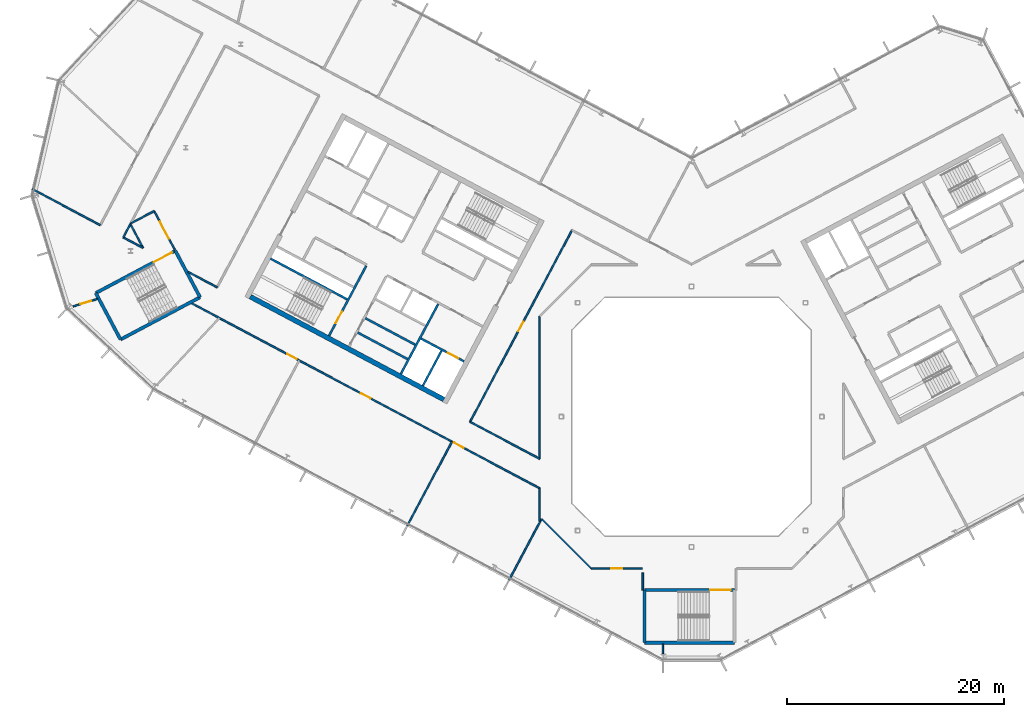
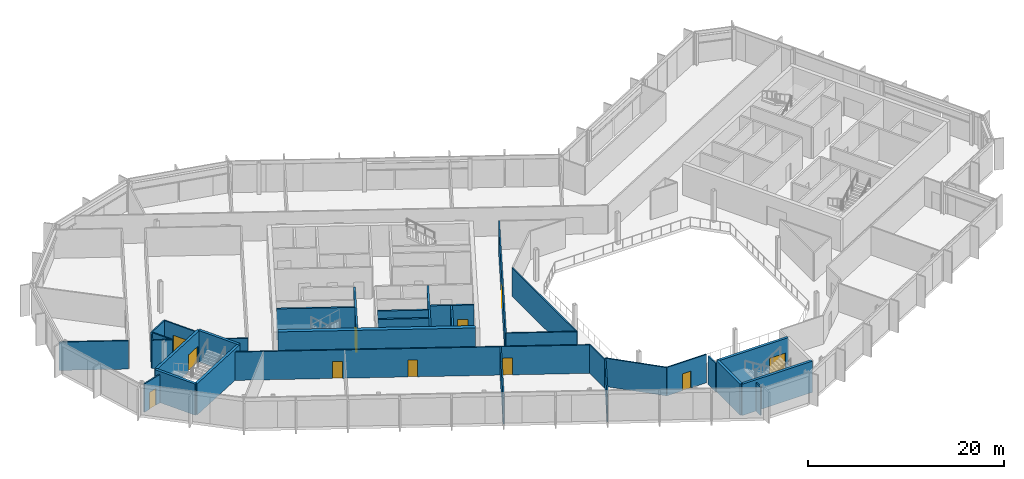
# One storey, part 12 of 25: 34 walls, 11 doors, 11 openings.
"""IFC4 building model written with IfcOpenShell, lengths in metres."""

from ifc_helpers import new_model, si_unit, direction, frame, frame_2d, origin, place, context, subcontext, project, spatial, rectangle, extrude, material, layer, layer_set, type_object, element, fill, save


model = new_model("IFC4")

# Units and contexts
model_context = context("Model", 3, precision=1e-05, world=origin(), true_north=direction((0.0, 1.0)))
body_context = subcontext(model_context, "Body", "Model", "MODEL_VIEW")
ifc_project = project(units=[si_unit("LENGTHUNIT", "METRE"), si_unit("AREAUNIT", "SQUARE_METRE"), si_unit("VOLUMEUNIT", "CUBIC_METRE"), si_unit("PLANEANGLEUNIT", "RADIAN"), si_unit("MASSUNIT", "GRAM", prefix="KILO")], contexts=[model_context])

# Site, building, storey
site_placement = place(None, origin())
site = spatial("IfcSite", under=ifc_project, at=site_placement, CompositionType="ELEMENT")
building_placement = place(site_placement, origin())
building = spatial("IfcBuilding", under=site, at=building_placement, Name="Cormorant Relay Tower", CompositionType="ELEMENT")
storey_placement = place(building_placement, frame((0.0, 0.0, 265.800048828125)))
storey = spatial("IfcBuildingStorey", under=building, at=storey_placement, Name="L59", CompositionType="ELEMENT", Elevation=265.800048828125)

# Walls
ifc_material_1 = material(Name="Concrete 40 MPa", Category="concrete")
ifc_layer_1 = layer(ifc_material_1, 0.199951171875)
ifc_layer_set_1 = layer_set([ifc_layer_1], Name="Core internal wall 200")
wall_type_1 = type_object("IfcWallType", Name="Core internal wall 200", PredefinedType="SOLIDWALL", material=ifc_layer_set_1)
for number, where, z_axis, x_axis, name in (
    (1, (-25.46728515625, 6.632568359375, 0.0), (0.0, 0.0, 1.0), (-0.882953967957, 0.469459572775, 0.0), "L59 core A shaft and room wall"),
    (2, (-26.17138671875, 5.30810546875, 0.0), (0.0, 0.0, 1.0), (-0.882953967957, 0.469459572775, 0.0), "L59 core A shaft and room wall"),
):
    element("IfcWall", number, at=place(storey_placement, frame(where, z_axis=z_axis, x_axis=x_axis)), inside=storey, type_object=wall_type_1, Name=name, PredefinedType="SOLIDWALL", context=body_context, shape_type="SweptSolid", body=[
        extrude(rectangle(XDim=5.199951171875, YDim=0.199951171875, at=frame_2d((2.60009765625, 0.0))), origin(), (0.0, 0.0, 1.0), 3.89990234375),
    ])
ifc_material_2 = material(Name="Concrete 50 MPa", Category="concrete")
ifc_layer_2 = layer(ifc_material_2, 0.199951171875)
ifc_layer_set_2 = layer_set([ifc_layer_2], Name="Core shaft wall 200")
wall_type_2 = type_object("IfcWallType", Name="Core shaft wall 200", PredefinedType="SHEAR", material=ifc_layer_set_2)
wall_1_placement = place(storey_placement, frame((-23.04296875, 6.07958984375, 0.0), z_axis=(0.0, 0.0, 1.0), x_axis=(-0.469494272526, -0.882935517501, 0.0)))
element("IfcWall", 3, at=wall_1_placement, inside=storey, type_object=wall_type_2, Name="L59 core A shaft wall", PredefinedType="SHEAR", context=body_context, shape_type="SweptSolid", body=[
    extrude(rectangle(XDim=3.64990234375, YDim=0.199951171875, at=frame_2d((1.824951171875, 0.0))), origin(), (0.0, 0.0, 1.0), 3.89990234375),
])
wall_2_placement = place(storey_placement, frame((-23.360107421875, 10.38232421875, 0.0), z_axis=(0.0, 0.0, 1.0), x_axis=(-0.469480409012, -0.88294288918, 0.0)))
element("IfcWall", 4, at=wall_2_placement, inside=storey, type_object=wall_type_2, Name="L59 core A shaft wall", PredefinedType="SHEAR", context=body_context, shape_type="SweptSolid", body=[
    extrude(rectangle(XDim=7.300048828125, YDim=0.199951171875, at=frame_2d((3.64990234375, 0.0))), origin(), (0.0, 0.0, 1.0), 3.89990234375),
])

# Wall, opening, door
wall_3_placement = place(storey_placement, frame((-29.982421875, 13.9033203125, 0.0), z_axis=(0.0, 0.0, 1.0), x_axis=(-0.469454336211, -0.882956752176, 0.0)))
wall_3 = element("IfcWall", 5, at=wall_3_placement, inside=storey, type_object=wall_type_2, Name="L59 core A shaft wall", PredefinedType="SHEAR", context=body_context, shape_type="SweptSolid", body=[
    extrude(rectangle(XDim=7.300048828125, YDim=0.199951171875, at=frame_2d((3.64990234375, 0.0))), origin(), (0.0, 0.0, 1.0), 3.89990234375),
])
opening_1_placement = place(wall_3_placement, frame((4.800048828125, 0.0, 0.0)))
opening_1 = element("IfcOpeningElement", 6, at=opening_1_placement, cuts=wall_3, Name="Opening CDB-039", PredefinedType="OPENING", context=body_context, shape_type="SweptSolid", body=[
    extrude(rectangle(XDim=1.199951171875, YDim=2.10009765625, at=frame_2d((0.60009765625, 1.050048828125))), frame((0.0, 0.10986328125, 0.0), z_axis=(0.0, -1.0, 0.0), x_axis=(1.0, 0.0, 0.0)), (0.0, 0.0, 1.0), 0.219970703125),
])
ifc_material_3 = material(Name="Steel fire door", Category="steel")
door_type_1 = type_object("IfcDoorType", Name="Core stair door 1200x2100", OperationType="SINGLE_SWING_LEFT", PredefinedType="DOOR", material=ifc_material_3)
door_1_placement = place(opening_1_placement, frame((1.199951171875, 0.0, 0.0), z_axis=(0.0, 0.0, 1.0), x_axis=(-1.0, 0.0, 0.0)))
door_1 = element("IfcDoor", 7, at=door_1_placement, inside=storey, type_object=door_type_1, Name="Core stair door 1200x2100", OperationType="SINGLE_SWING_RIGHT", OverallHeight=2.10009765625, OverallWidth=1.199951171875, PredefinedType="DOOR", context=body_context, shape_type="SweptSolid", body=[
    extrude(rectangle(XDim=1.199951171875, YDim=2.10009765625, at=frame_2d((0.60009765625, 1.050048828125))), frame((0.0, 0.02490234375, 0.0), z_axis=(0.0, -1.0, 0.0), x_axis=(1.0, 0.0, 0.0)), (0.0, 0.0, 1.0), 0.050048828125),
])
fill(opening_1, door_1)

wall_4_placement = place(storey_placement, frame((-20.96533203125, 5.088134765625, 0.0), z_axis=(0.0, 0.0, 1.0), x_axis=(-0.882925986334, 0.469512196493, 0.0)))
wall_4 = element("IfcWall", 8, at=wall_4_placement, inside=storey, type_object=wall_type_2, Name="L59 core A shaft wall", PredefinedType="SHEAR", context=body_context, shape_type="SweptSolid", body=[
    extrude(rectangle(XDim=4.5, YDim=0.199951171875, at=frame_2d((2.25, 0.0))), origin(), (0.0, 0.0, 1.0), 3.89990234375),
])
opening_2_placement = place(wall_4_placement, frame((0.60009765625, 0.0, 0.0)))
opening_2 = element("IfcOpeningElement", 9, at=opening_2_placement, cuts=wall_4, Name="Opening LD1-063", PredefinedType="OPENING", context=body_context, shape_type="SweptSolid", body=[
    extrude(rectangle(XDim=1.10009765625, YDim=2.10009765625, at=frame_2d((0.550048828125, 1.050048828125))), frame((0.0, 0.10986328125, 0.0), z_axis=(0.0, -1.0, 0.0), x_axis=(1.0, 0.0, 0.0)), (0.0, 0.0, 1.0), 0.219970703125),
])
ifc_material_4 = material(Name="Stainless steel 316", Category="steel")
door_type_2 = type_object("IfcDoorType", Name="Lift landing door 1100x2100", OperationType="DOUBLE_DOOR_SLIDING", PredefinedType="DOOR", material=ifc_material_4)
door_2_placement = place(opening_2_placement, origin())
door_2 = element("IfcDoor", 10, at=door_2_placement, inside=storey, type_object=door_type_2, Name="FF1 landing door", OperationType="DOUBLE_DOOR_SLIDING", OverallHeight=2.10009765625, OverallWidth=1.10009765625, PredefinedType="DOOR", context=body_context, shape_type="SweptSolid", body=[
    extrude(rectangle(XDim=1.10009765625, YDim=2.10009765625, at=frame_2d((0.550048828125, 1.050048828125))), frame((0.0, 0.02490234375, 0.0), z_axis=(0.0, -1.0, 0.0), x_axis=(1.0, 0.0, 0.0)), (0.0, 0.0, 1.0), 0.050048828125),
])
fill(opening_2, door_2)

# Walls
wall_5_placement = place(storey_placement, frame((-31.7373046875, 10.815673828125, 0.0), z_axis=(0.0, 0.0, 1.0), x_axis=(-0.882940221191, 0.469485426614, 0.0)))
element("IfcWall", 11, at=wall_5_placement, inside=storey, type_object=wall_type_2, Name="L59 core A shaft wall", PredefinedType="SHEAR", context=body_context, shape_type="SweptSolid", body=[
    extrude(rectangle(XDim=8.0, YDim=0.199951171875, at=frame_2d((4.0, 0.0))), origin(), (0.0, 0.0, 1.0), 3.89990234375),
])
ifc_material_5 = material(Name="Concrete 50 MPa", Category="concrete")
ifc_layer_3 = layer(ifc_material_5, 0.449951171875)
ifc_layer_set_3 = layer_set([ifc_layer_3], Name="Core wall 450")
wall_type_3 = type_object("IfcWallType", Name="Core wall 450", PredefinedType="SHEAR", material=ifc_layer_set_3)
wall_6_placement = place(storey_placement, frame((-22.83154296875, 1.578369140625, 0.0), z_axis=(0.0, 0.0, 1.0), x_axis=(-0.88294509198, 0.469476266226, 0.0)))
element("IfcWall", 12, at=wall_6_placement, inside=storey, type_object=wall_type_3, Name="L59 core A wall", PredefinedType="SHEAR", context=body_context, shape_type="SweptSolid", body=[
    extrude(rectangle(XDim=20.199951171875, YDim=0.449951171875, at=frame_2d((10.10009765625, 0.0))), origin(), (0.0, 0.0, 1.0), 3.89990234375),
])
ifc_material_6 = material(Name="Gypsum board fire partition")
ifc_layer_4 = layer(ifc_material_6, 0.14990234375)
ifc_layer_set_4 = layer_set([ifc_layer_4], Name="Corridor partition 150 EI 60")
wall_type_4 = type_object("IfcWallType", Name="Corridor partition 150 EI 60", PredefinedType="PARTITIONING", material=ifc_layer_set_4)
wall_7_placement = place(storey_placement, frame((-54.492919921875, 17.64892578125, 0.0), z_axis=(0.0, 0.0, 1.0), x_axis=(-0.882938254124, 0.469489125971, 0.0)))
element("IfcWall", 13, at=wall_7_placement, inside=storey, type_object=wall_type_4, Name="wall/L59/part/004", PredefinedType="PARTITIONING", context=body_context, shape_type="SweptSolid", body=[
    extrude(rectangle(XDim=7.127197265625, YDim=0.14990234375, at=frame_2d((3.5634765625, 0.0))), origin(), (0.0, 0.0, 1.0), 3.5400390625),
])

# Wall, opening, door
wall_8_placement = place(storey_placement, frame((-54.73193359375, 10.85693359375, 0.0), z_axis=(0.0, 0.0, 1.0), x_axis=(-0.956231519395, -0.292611143525, 0.0)))
wall_8 = element("IfcWall", 14, at=wall_8_placement, inside=storey, type_object=wall_type_4, Name="wall/L59/part/005", PredefinedType="PARTITIONING", context=body_context, shape_type="SweptSolid", body=[
    extrude(rectangle(XDim=2.385498046875, YDim=0.14990234375, at=frame_2d((1.19287109375, 0.0))), origin(), (0.0, 0.0, 1.0), 3.5400390625),
])
opening_3_placement = place(wall_8_placement, frame((0.64990234375, 0.0, 0.0)))
opening_3 = element("IfcOpeningElement", 15, at=opening_3_placement, cuts=wall_8, Name="Opening DS-205", PredefinedType="OPENING", context=body_context, shape_type="SweptSolid", body=[
    extrude(rectangle(XDim=1.0, YDim=2.10009765625, at=frame_2d((0.5, 1.050048828125))), frame((0.0, 0.0849609375, 0.0), z_axis=(0.0, -1.0, 0.0), x_axis=(1.0, 0.0, 0.0)), (0.0, 0.0, 1.0), 0.169921875),
])
ifc_material_7 = material(Name="Timber door leaf", Category="wood")
door_type_3 = type_object("IfcDoorType", Name="Suite door 1000x2100", OperationType="SINGLE_SWING_LEFT", PredefinedType="DOOR", material=ifc_material_7)
door_3_placement = place(opening_3_placement, origin())
door_3 = element("IfcDoor", 16, at=door_3_placement, inside=storey, type_object=door_type_3, Name="door/L59/008", OperationType="SINGLE_SWING_LEFT", OverallHeight=2.10009765625, OverallWidth=1.0, PredefinedType="DOOR", context=body_context, shape_type="SweptSolid", body=[
    extrude(rectangle(XDim=1.0, YDim=2.10009765625, at=frame_2d((0.5, 1.050048828125))), frame((0.0, 0.02490234375, 0.0), z_axis=(0.0, -1.0, 0.0), x_axis=(1.0, 0.0, 0.0)), (0.0, 0.0, 1.0), 0.050048828125),
])
fill(opening_3, door_3)

wall_9_placement = place(storey_placement, frame((-47.62109375, 15.3779296875, 0.0), z_axis=(0.0, 0.0, 1.0), x_axis=(-0.469542997944, 0.882909606404, 0.0)))
wall_9 = element("IfcWall", 17, at=wall_9_placement, inside=storey, type_object=wall_type_4, Name="wall/L59/part/010", PredefinedType="PARTITIONING", context=body_context, shape_type="SweptSolid", body=[
    extrude(rectangle(XDim=4.050537109375, YDim=0.14990234375, at=frame_2d((2.025390625, 0.0))), origin(), (0.0, 0.0, 1.0), 3.5400390625),
])
opening_4_placement = place(wall_9_placement, frame((1.14990234375, 0.0, 0.0)))
opening_4 = element("IfcOpeningElement", 18, at=opening_4_placement, cuts=wall_9, Name="Opening DD-035", PredefinedType="OPENING", context=body_context, shape_type="SweptSolid", body=[
    extrude(rectangle(XDim=1.800048828125, YDim=2.10009765625, at=frame_2d((0.89990234375, 1.050048828125))), frame((0.0, 0.0849609375, 0.0), z_axis=(0.0, -1.0, 0.0), x_axis=(1.0, 0.0, 0.0)), (0.0, 0.0, 1.0), 0.169921875),
])
ifc_material_8 = material(Name="Timber door leaf", Category="wood")
door_type_4 = type_object("IfcDoorType", Name="Suite double door 1800x2100", OperationType="DOUBLE_DOOR_SINGLE_SWING", PredefinedType="DOOR", material=ifc_material_8)
door_4_placement = place(opening_4_placement, frame((1.800048828125, 0.0, 0.0), z_axis=(0.0, 0.0, 1.0), x_axis=(-1.0, 0.0, 0.0)))
door_4 = element("IfcDoor", 19, at=door_4_placement, inside=storey, type_object=door_type_4, Name="door/L59/003", OperationType="DOUBLE_DOOR_SINGLE_SWING", OverallHeight=2.10009765625, OverallWidth=1.800048828125, PredefinedType="DOOR", context=body_context, shape_type="SweptSolid", body=[
    extrude(rectangle(XDim=1.800048828125, YDim=2.10009765625, at=frame_2d((0.89990234375, 1.050048828125))), frame((0.0, 0.02490234375, 0.0), z_axis=(0.0, -1.0, 0.0), x_axis=(1.0, 0.0, 0.0)), (0.0, 0.0, 1.0), 0.050048828125),
])
fill(opening_4, door_4)

# Walls
wall_10_placement = place(storey_placement, frame((-49.52294921875, 18.9541015625, 0.0), z_axis=(0.0, 0.0, 1.0), x_axis=(-0.882767334528, -0.469810422501, 0.0)))
element("IfcWall", 20, at=wall_10_placement, inside=storey, type_object=wall_type_4, Name="wall/L59/part/011", PredefinedType="PARTITIONING", context=body_context, shape_type="SweptSolid", body=[
    extrude(rectangle(XDim=2.460693359375, YDim=0.14990234375, at=frame_2d((1.23046875, 0.0))), origin(), (0.0, 0.0, 1.0), 3.5400390625),
])
wall_11_placement = place(storey_placement, frame((-43.720947265625, 11.9208984375, 0.0), z_axis=(0.0, 0.0, 1.0), x_axis=(-0.882959580004, 0.46944901755, 0.0)))
element("IfcWall", 21, at=wall_11_placement, inside=storey, type_object=wall_type_4, Name="wall/L59/part/015", PredefinedType="PARTITIONING", context=body_context, shape_type="SweptSolid", body=[
    extrude(rectangle(XDim=3.03759765625, YDim=0.14990234375, at=frame_2d((1.518798828125, 0.0))), origin(), (0.0, 0.0, 1.0), 3.5400390625),
])

# Wall, openings, doors
wall_12_placement = place(storey_placement, frame((-14.0, -6.60009765625, 0.0), z_axis=(0.0, 0.0, 1.0), x_axis=(-0.88294319167, 0.469479840125, 0.0)))
wall_12 = element("IfcWall", 22, at=wall_12_placement, inside=storey, type_object=wall_type_4, Name="wall/L59/part/016", PredefinedType="PARTITIONING", context=body_context, shape_type="SweptSolid", body=[
    extrude(rectangle(XDim=36.344482421875, YDim=0.14990234375, at=frame_2d((18.17236328125, 0.0))), origin(), (0.0, 0.0, 1.0), 3.5400390625),
])
opening_5_placement = place(wall_12_placement, frame((25.35009765625, 0.0, 0.0)))
opening_5 = element("IfcOpeningElement", 23, at=opening_5_placement, cuts=wall_12, Name="Opening DS-206", PredefinedType="OPENING", context=body_context, shape_type="SweptSolid", body=[
    extrude(rectangle(XDim=1.0, YDim=2.10009765625, at=frame_2d((0.5, 1.050048828125))), frame((0.0, 0.0849609375, 0.0), z_axis=(0.0, -1.0, 0.0), x_axis=(1.0, 0.0, 0.0)), (0.0, 0.0, 1.0), 0.169921875),
])
opening_6_placement = place(wall_12_placement, frame((17.64990234375, 0.0, 0.0)))
opening_6 = element("IfcOpeningElement", 24, at=opening_6_placement, cuts=wall_12, Name="Opening DS-207", PredefinedType="OPENING", context=body_context, shape_type="SweptSolid", body=[
    extrude(rectangle(XDim=1.0, YDim=2.10009765625, at=frame_2d((0.5, 1.050048828125))), frame((0.0, 0.0849609375, 0.0), z_axis=(0.0, -1.0, 0.0), x_axis=(1.0, 0.0, 0.0)), (0.0, 0.0, 1.0), 0.169921875),
])
opening_7_placement = place(wall_12_placement, frame((7.949951171875, 0.0, 0.0)))
opening_7 = element("IfcOpeningElement", 25, at=opening_7_placement, cuts=wall_12, Name="Opening DS-208", PredefinedType="OPENING", context=body_context, shape_type="SweptSolid", body=[
    extrude(rectangle(XDim=1.0, YDim=2.10009765625, at=frame_2d((0.5, 1.050048828125))), frame((0.0, 0.0849609375, 0.0), z_axis=(0.0, -1.0, 0.0), x_axis=(1.0, 0.0, 0.0)), (0.0, 0.0, 1.0), 0.169921875),
])
door_5_placement = place(opening_5_placement, origin())
door_5 = element("IfcDoor", 26, at=door_5_placement, inside=storey, type_object=door_type_3, Name="door/L59/009", OperationType="SINGLE_SWING_LEFT", OverallHeight=2.10009765625, OverallWidth=1.0, PredefinedType="DOOR", context=body_context, shape_type="SweptSolid", body=[
    extrude(rectangle(XDim=1.0, YDim=2.10009765625, at=frame_2d((0.5, 1.050048828125))), frame((0.0, 0.02490234375, 0.0), z_axis=(0.0, -1.0, 0.0), x_axis=(1.0, 0.0, 0.0)), (0.0, 0.0, 1.0), 0.050048828125),
])
fill(opening_5, door_5)
door_6_placement = place(opening_6_placement, origin())
door_6 = element("IfcDoor", 27, at=door_6_placement, inside=storey, type_object=door_type_3, Name="door/L59/010", OperationType="SINGLE_SWING_LEFT", OverallHeight=2.10009765625, OverallWidth=1.0, PredefinedType="DOOR", context=body_context, shape_type="SweptSolid", body=[
    extrude(rectangle(XDim=1.0, YDim=2.10009765625, at=frame_2d((0.5, 1.050048828125))), frame((0.0, 0.02490234375, 0.0), z_axis=(0.0, -1.0, 0.0), x_axis=(1.0, 0.0, 0.0)), (0.0, 0.0, 1.0), 0.050048828125),
])
fill(opening_6, door_6)
door_7_placement = place(opening_7_placement, origin())
door_7 = element("IfcDoor", 28, at=door_7_placement, inside=storey, type_object=door_type_3, Name="door/L59/011", OperationType="SINGLE_SWING_RIGHT", OverallHeight=2.10009765625, OverallWidth=1.0, PredefinedType="DOOR", context=body_context, shape_type="SweptSolid", body=[
    extrude(rectangle(XDim=1.0, YDim=2.10009765625, at=frame_2d((0.5, 1.050048828125))), frame((0.0, 0.02490234375, 0.0), z_axis=(0.0, -1.0, 0.0), x_axis=(1.0, 0.0, 0.0)), (0.0, 0.0, 1.0), 0.050048828125),
])
fill(opening_7, door_7)

# Wall
wall_13_placement = place(storey_placement, frame((-14.0, -9.639892578125, 0.0), z_axis=(0.0, 0.0, 1.0), x_axis=(0.0, 1.0, 0.0)))
element("IfcWall", 29, at=wall_13_placement, inside=storey, type_object=wall_type_4, Name="wall/L59/part/023", PredefinedType="PARTITIONING", context=body_context, shape_type="SweptSolid", body=[
    extrude(rectangle(XDim=3.039794921875, YDim=0.14990234375, at=frame_2d((1.52001953125, 0.0))), origin(), (0.0, 0.0, 1.0), 3.5400390625),
])

# Wall, opening, door
wall_14_placement = place(storey_placement, frame((-4.5458984375, -14.0, 0.0), z_axis=(0.0, 0.0, 1.0), x_axis=(-1.0, 0.0, 0.0)))
wall_14 = element("IfcWall", 30, at=wall_14_placement, inside=storey, type_object=wall_type_4, Name="wall/L59/part/024", PredefinedType="PARTITIONING", context=body_context, shape_type="SweptSolid", body=[
    extrude(rectangle(XDim=4.697021484375, YDim=0.14990234375, at=frame_2d((2.3486328125, 0.0))), origin(), (0.0, 0.0, 1.0), 3.5400390625),
])
opening_8_placement = place(wall_14_placement, frame((1.85009765625, 0.0, 0.0)))
opening_8 = element("IfcOpeningElement", 31, at=opening_8_placement, cuts=wall_14, Name="Opening DS-209", PredefinedType="OPENING", context=body_context, shape_type="SweptSolid", body=[
    extrude(rectangle(XDim=1.0, YDim=2.10009765625, at=frame_2d((0.5, 1.050048828125))), frame((0.0, 0.0849609375, 0.0), z_axis=(0.0, -1.0, 0.0), x_axis=(1.0, 0.0, 0.0)), (0.0, 0.0, 1.0), 0.169921875),
])
door_8_placement = place(opening_8_placement, origin())
door_8 = element("IfcDoor", 32, at=door_8_placement, inside=storey, type_object=door_type_3, Name="door/L59/012", OperationType="SINGLE_SWING_LEFT", OverallHeight=2.10009765625, OverallWidth=1.0, PredefinedType="DOOR", context=body_context, shape_type="SweptSolid", body=[
    extrude(rectangle(XDim=1.0, YDim=2.10009765625, at=frame_2d((0.5, 1.050048828125))), frame((0.0, 0.02490234375, 0.0), z_axis=(0.0, -1.0, 0.0), x_axis=(1.0, 0.0, 0.0)), (0.0, 0.0, 1.0), 0.050048828125),
])
fill(opening_8, door_8)

# Walls
wall_15_placement = place(storey_placement, frame((-9.242919921875, -14.0, 0.0), z_axis=(0.0, 0.0, 1.0), x_axis=(-0.70703108598, 0.707182468291, 0.0)))
element("IfcWall", 33, at=wall_15_placement, inside=storey, type_object=wall_type_4, Name="wall/L59/part/025", PredefinedType="PARTITIONING", context=body_context, shape_type="SweptSolid", body=[
    extrude(rectangle(XDim=6.450927734375, YDim=0.14990234375, at=frame_2d((3.2255859375, 0.0))), origin(), (0.0, 0.0, 1.0), 3.5400390625),
])
wall_16_placement = place(storey_placement, frame((-4.5, -15.97509765625, 0.0), z_axis=(0.0, 0.0, 1.0), x_axis=(0.0, 1.0, 0.0)))
element("IfcWall", 34, at=wall_16_placement, inside=storey, type_object=wall_type_4, Name="wall/L59/part/027", PredefinedType="PARTITIONING", context=body_context, shape_type="SweptSolid", body=[
    extrude(rectangle(XDim=1.5810546875, YDim=0.14990234375, at=frame_2d((0.79052734375, 0.0))), origin(), (0.0, 0.0, 1.0), 3.5400390625),
])
wall_17_placement = place(storey_placement, frame((-50.5439453125, 15.549072265625, 0.0), z_axis=(0.0, 0.0, 1.0), x_axis=(-0.469183782948, 0.883100547967, 0.0)))
element("IfcWall", 35, at=wall_17_placement, inside=storey, type_object=wall_type_4, Name="wall/L59/part/041", PredefinedType="PARTITIONING", context=body_context, shape_type="SweptSolid", body=[
    extrude(rectangle(XDim=2.500244140625, YDim=0.14990234375, at=frame_2d((1.25, 0.0))), origin(), (0.0, 0.0, 1.0), 3.5400390625),
])
wall_18_placement = place(storey_placement, frame((-51.717041015625, 17.757080078125, 0.0), z_axis=(0.0, 0.0, 1.0), x_axis=(-0.469618761384, -0.882869310236, 0.0)))
element("IfcWall", 36, at=wall_18_placement, inside=storey, type_object=wall_type_4, Name="wall/L59/part/042", PredefinedType="PARTITIONING", context=body_context, shape_type="SweptSolid", body=[
    extrude(rectangle(XDim=1.39892578125, YDim=0.14990234375, at=frame_2d((0.699462890625, 0.0))), origin(), (0.0, 0.0, 1.0), 3.5400390625),
])
wall_19_placement = place(storey_placement, frame((-52.3740234375, 16.52197265625, 0.0), z_axis=(0.0, 0.0, 1.0), x_axis=(0.882981472085, -0.469407839682, 0.0)))
element("IfcWall", 37, at=wall_19_placement, inside=storey, type_object=wall_type_4, Name="wall/L59/part/043", PredefinedType="PARTITIONING", context=body_context, shape_type="SweptSolid", body=[
    extrude(rectangle(XDim=2.072509765625, YDim=0.14990234375, at=frame_2d((1.0361328125, 0.0))), origin(), (0.0, 0.0, 1.0), 3.5400390625),
])

# Wall, opening, door
wall_20_placement = place(storey_placement, frame((-20.410888671875, -0.472900390625, 0.0), z_axis=(0.0, 0.0, 1.0), x_axis=(0.469451816494, 0.882958091865, 0.0)))
wall_20 = element("IfcWall", 38, at=wall_20_placement, inside=storey, type_object=wall_type_4, Name="wall/L59/part/044", PredefinedType="PARTITIONING", context=body_context, shape_type="SweptSolid", body=[
    extrude(rectangle(XDim=19.999755859375, YDim=0.14990234375, at=frame_2d((10.0, 0.0))), origin(), (0.0, 0.0, 1.0), 3.5400390625),
])
opening_9_placement = place(wall_20_placement, frame((9.449951171875, 0.0, 0.0)))
opening_9 = element("IfcOpeningElement", 39, at=opening_9_placement, cuts=wall_20, Name="Opening DS-132", PredefinedType="OPENING", context=body_context, shape_type="SweptSolid", body=[
    extrude(rectangle(XDim=1.0, YDim=2.10009765625, at=frame_2d((0.5, 1.050048828125))), frame((0.0, 0.0849609375, 0.0), z_axis=(0.0, -1.0, 0.0), x_axis=(1.0, 0.0, 0.0)), (0.0, 0.0, 1.0), 0.169921875),
])
door_9_placement = place(opening_9_placement, frame((1.0, 0.0, 0.0), z_axis=(0.0, 0.0, 1.0), x_axis=(-1.0, 0.0, 0.0)))
door_9 = element("IfcDoor", 40, at=door_9_placement, inside=storey, type_object=door_type_3, Name="door/L59/004", OperationType="SINGLE_SWING_LEFT", OverallHeight=2.10009765625, OverallWidth=1.0, PredefinedType="DOOR", context=body_context, shape_type="SweptSolid", body=[
    extrude(rectangle(XDim=1.0, YDim=2.10009765625, at=frame_2d((0.5, 1.050048828125))), frame((0.0, 0.02490234375, 0.0), z_axis=(0.0, -1.0, 0.0), x_axis=(1.0, 0.0, 0.0)), (0.0, 0.0, 1.0), 0.050048828125),
])
fill(opening_9, door_9)

# Walls
wall_21_placement = place(storey_placement, frame((-14.0, 9.242919921875, 0.0), z_axis=(0.0, 0.0, 1.0), x_axis=(0.0, -1.0, 0.0)))
element("IfcWall", 41, at=wall_21_placement, inside=storey, type_object=wall_type_4, Name="wall/L59/part/048", PredefinedType="PARTITIONING", context=body_context, shape_type="SweptSolid", body=[
    extrude(rectangle(XDim=13.125, YDim=0.14990234375, at=frame_2d((6.5625, 0.0))), origin(), (0.0, 0.0, 1.0), 3.5400390625),
])
wall_22_placement = place(storey_placement, frame((-14.0, -3.882080078125, 0.0), z_axis=(0.0, 0.0, 1.0), x_axis=(-0.882921917986, 0.469519847014, 0.0)))
element("IfcWall", 42, at=wall_22_placement, inside=storey, type_object=wall_type_4, Name="wall/L59/part/049", PredefinedType="PARTITIONING", context=body_context, shape_type="SweptSolid", body=[
    extrude(rectangle(XDim=7.260986328125, YDim=0.14990234375, at=frame_2d((3.63037109375, 0.0))), origin(), (0.0, 0.0, 1.0), 3.5400390625),
])
ifc_material_9 = material(Name="Concrete 50 MPa", Category="concrete")
ifc_layer_5 = layer(ifc_material_9, 0.300048828125)
ifc_layer_set_5 = layer_set([ifc_layer_5], Name="Remote stair wall 300")
wall_type_5 = type_object("IfcWallType", Name="Remote stair wall 300", PredefinedType="SHEAR", material=ifc_layer_set_5)
wall_23_placement = place(storey_placement, frame((3.949951171875, -20.824951171875, 0.0), z_axis=(0.0, 0.0, 1.0), x_axis=(-1.0, 0.0, 0.0)))
element("IfcWall", 43, at=wall_23_placement, inside=storey, type_object=wall_type_5, Name="L59 exit stair RK1 wall", PredefinedType="SHEAR", context=body_context, shape_type="SweptSolid", body=[
    extrude(rectangle(XDim=8.300048828125, YDim=0.300048828125, at=frame_2d((4.14990234375, 0.0))), origin(), (0.0, 0.0, 1.0), 3.89990234375),
])
wall_24_placement = place(storey_placement, frame((-4.35009765625, -20.824951171875, 0.0), z_axis=(0.0, 0.0, 1.0), x_axis=(0.0, 1.0, 0.0)))
element("IfcWall", 44, at=wall_24_placement, inside=storey, type_object=wall_type_5, Name="L59 exit stair RK1 wall", PredefinedType="SHEAR", context=body_context, shape_type="SweptSolid", body=[
    extrude(rectangle(XDim=4.849853515625, YDim=0.300048828125, at=frame_2d((2.4248046875, 0.0))), origin(), (0.0, 0.0, 1.0), 3.89990234375),
])

# Wall, opening, door
wall_25_placement = place(storey_placement, frame((-4.35009765625, -15.97509765625, 0.0), z_axis=(0.0, 0.0, 1.0), x_axis=(1.0, 0.0, 0.0)))
wall_25 = element("IfcWall", 45, at=wall_25_placement, inside=storey, type_object=wall_type_5, Name="L59 exit stair RK1 wall", PredefinedType="SHEAR", context=body_context, shape_type="SweptSolid", body=[
    extrude(rectangle(XDim=8.300048828125, YDim=0.300048828125, at=frame_2d((4.14990234375, 0.0))), origin(), (0.0, 0.0, 1.0), 3.89990234375),
])
opening_10_placement = place(wall_25_placement, frame((6.050048828125, 0.0, 0.0)))
opening_10 = element("IfcOpeningElement", 46, at=opening_10_placement, cuts=wall_25, Name="Opening CDE-014", PredefinedType="OPENING", context=body_context, shape_type="SweptSolid", body=[
    extrude(rectangle(XDim=1.89990234375, YDim=2.10009765625, at=frame_2d((0.949951171875, 1.050048828125))), frame((0.0, 0.159912109375, 0.0), z_axis=(0.0, -1.0, 0.0), x_axis=(1.0, 0.0, 0.0)), (0.0, 0.0, 1.0), 0.320068359375),
])
ifc_material_10 = material(Name="Steel fire door", Category="steel")
door_type_5 = type_object("IfcDoorType", Name="Remote stair door 1900x2100", OperationType="DOUBLE_DOOR_SINGLE_SWING", PredefinedType="DOOR", material=ifc_material_10)
door_10_placement = place(opening_10_placement, frame((1.89990234375, 0.0, 0.0), z_axis=(0.0, 0.0, 1.0), x_axis=(-1.0, 0.0, 0.0)))
door_10 = element("IfcDoor", 47, at=door_10_placement, inside=storey, type_object=door_type_5, Name="Exit stair RK1 door", OperationType="DOUBLE_DOOR_SINGLE_SWING", OverallHeight=2.10009765625, OverallWidth=1.89990234375, PredefinedType="DOOR", context=body_context, shape_type="SweptSolid", body=[
    extrude(rectangle(XDim=1.89990234375, YDim=2.10009765625, at=frame_2d((0.949951171875, 1.050048828125))), frame((0.0, 0.02490234375, 0.0), z_axis=(0.0, -1.0, 0.0), x_axis=(1.0, 0.0, 0.0)), (0.0, 0.0, 1.0), 0.050048828125),
])
fill(opening_10, door_10)

# Walls
wall_26_placement = place(storey_placement, frame((-47.57421875, 15.28955078125, 0.0), z_axis=(0.0, 0.0, 1.0), x_axis=(0.469443498566, -0.882962514297, 0.0)))
element("IfcWall", 48, at=wall_26_placement, inside=storey, type_object=wall_type_5, Name="L59 exit stair RP1 wall", PredefinedType="SHEAR", context=body_context, shape_type="SweptSolid", body=[
    extrude(rectangle(XDim=4.85009765625, YDim=0.300048828125, at=frame_2d((2.425048828125, 0.0))), origin(), (0.0, 0.0, 1.0), 3.89990234375),
])
wall_27_placement = place(storey_placement, frame((-45.29736328125, 11.007080078125, 0.0), z_axis=(0.0, 0.0, 1.0), x_axis=(-0.882951519127, -0.469464178475, 0.0)))
element("IfcWall", 49, at=wall_27_placement, inside=storey, type_object=wall_type_5, Name="L59 exit stair RP1 wall", PredefinedType="SHEAR", context=body_context, shape_type="SweptSolid", body=[
    extrude(rectangle(XDim=8.2998046875, YDim=0.300048828125, at=frame_2d((4.14990234375, 0.0))), origin(), (0.0, 0.0, 1.0), 3.89990234375),
])
wall_28_placement = place(storey_placement, frame((-52.625732421875, 7.110595703125, 0.0), z_axis=(0.0, 0.0, 1.0), x_axis=(-0.469464364128, 0.882951420416, 0.0)))
element("IfcWall", 50, at=wall_28_placement, inside=storey, type_object=wall_type_5, Name="L59 exit stair RP1 wall", PredefinedType="SHEAR", context=body_context, shape_type="SweptSolid", body=[
    extrude(rectangle(XDim=4.849853515625, YDim=0.300048828125, at=frame_2d((2.4248046875, 0.0))), origin(), (0.0, 0.0, 1.0), 3.89990234375),
])

# Wall, opening, door
wall_29_placement = place(storey_placement, frame((-54.902587890625, 11.392822265625, 0.0), z_axis=(0.0, 0.0, 1.0), x_axis=(0.882939326045, 0.469487110071, 0.0)))
wall_29 = element("IfcWall", 51, at=wall_29_placement, inside=storey, type_object=wall_type_5, Name="L59 exit stair RP1 wall", PredefinedType="SHEAR", context=body_context, shape_type="SweptSolid", body=[
    extrude(rectangle(XDim=8.300048828125, YDim=0.300048828125, at=frame_2d((4.14990234375, 0.0))), origin(), (0.0, 0.0, 1.0), 3.89990234375),
])
opening_11_placement = place(wall_29_placement, frame((6.050048828125, 0.0, 0.0)))
opening_11 = element("IfcOpeningElement", 52, at=opening_11_placement, cuts=wall_29, Name="Opening CDE-015", PredefinedType="OPENING", context=body_context, shape_type="SweptSolid", body=[
    extrude(rectangle(XDim=1.89990234375, YDim=2.10009765625, at=frame_2d((0.949951171875, 1.050048828125))), frame((0.0, 0.159912109375, 0.0), z_axis=(0.0, -1.0, 0.0), x_axis=(1.0, 0.0, 0.0)), (0.0, 0.0, 1.0), 0.320068359375),
])
door_11_placement = place(opening_11_placement, frame((1.89990234375, 0.0, 0.0), z_axis=(0.0, 0.0, 1.0), x_axis=(-1.0, 0.0, 0.0)))
door_11 = element("IfcDoor", 53, at=door_11_placement, inside=storey, type_object=door_type_5, Name="Exit stair RP1 door", OperationType="DOUBLE_DOOR_SINGLE_SWING", OverallHeight=2.10009765625, OverallWidth=1.89990234375, PredefinedType="DOOR", context=body_context, shape_type="SweptSolid", body=[
    extrude(rectangle(XDim=1.89990234375, YDim=2.10009765625, at=frame_2d((0.949951171875, 1.050048828125))), frame((0.0, 0.02490234375, 0.0), z_axis=(0.0, -1.0, 0.0), x_axis=(1.0, 0.0, 0.0)), (0.0, 0.0, 1.0), 0.050048828125),
])
fill(opening_11, door_11)

# Walls
ifc_material_11 = material(Name="Gypsum board partition")
ifc_layer_6 = layer(ifc_material_11, 0.14990234375)
ifc_layer_set_6 = layer_set([ifc_layer_6], Name="Tenant partition 150")
wall_type_6 = type_object("IfcWallType", Name="Tenant partition 150", PredefinedType="PARTITIONING", material=ifc_layer_set_6)
wall_30_placement = place(storey_placement, frame((-22.0830078125, -2.302001953125, 0.0), z_axis=(0.0, 0.0, 1.0), x_axis=(-0.469445946219, -0.882961212952, 0.0)))
element("IfcWall", 54, at=wall_30_placement, inside=storey, type_object=wall_type_6, Name="wall/L59/part/019", PredefinedType="PARTITIONING", context=body_context, shape_type="SweptSolid", body=[
    extrude(rectangle(XDim=8.800048828125, YDim=0.14990234375, at=frame_2d((4.39990234375, 0.0))), origin(), (0.0, 0.0, 1.0), 3.5400390625),
])
wall_31_placement = place(storey_placement, frame((-13.823974609375, -9.4189453125, 0.0), z_axis=(0.0, 0.0, 1.0), x_axis=(-0.469525578512, -0.882918870068, 0.0)))
element("IfcWall", 55, at=wall_31_placement, inside=storey, type_object=wall_type_6, Name="wall/L59/part/022", PredefinedType="PARTITIONING", context=body_context, shape_type="SweptSolid", body=[
    extrude(rectangle(XDim=6.3935546875, YDim=0.14990234375, at=frame_2d((3.19677734375, 0.0))), origin(), (0.0, 0.0, 1.0), 3.5400390625),
])
wall_32_placement = place(storey_placement, frame((-2.64892578125, -20.925048828125, 0.0), z_axis=(0.0, 0.0, 1.0), x_axis=(0.0, -1.0, 0.0)))
element("IfcWall", 56, at=wall_32_placement, inside=storey, type_object=wall_type_6, Name="wall/L59/part/028", PredefinedType="PARTITIONING", context=body_context, shape_type="SweptSolid", body=[
    extrude(rectangle(XDim=0.966064453125, YDim=0.14990234375, at=frame_2d((0.48291015625, 0.0))), origin(), (0.0, 0.0, 1.0), 3.5400390625),
])

save(model, "model.ifc")
